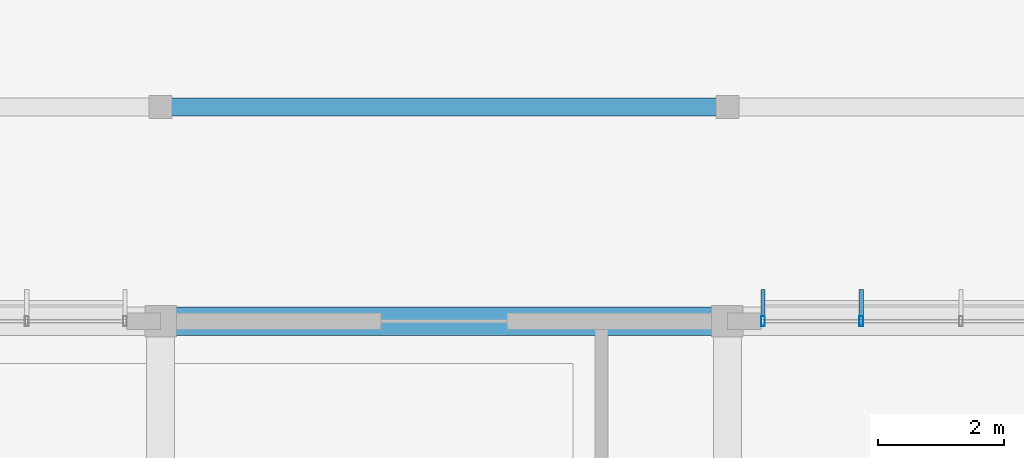
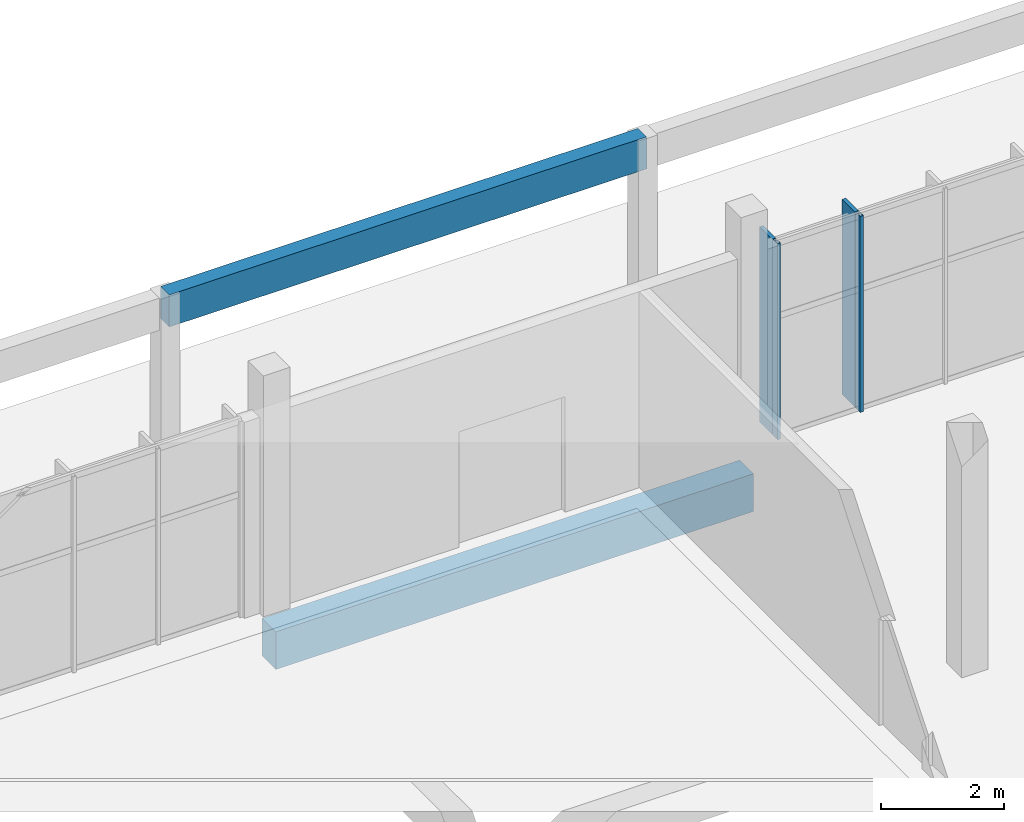
# One storey, part 42 of 151: 4 members, 2 beams, 1 element without a shape of its own.
"""IFC4 building model written with IfcOpenShell, lengths in metres."""

from ifc_helpers import new_model, si_unit, direction, frame, origin, origin_2d, place, context, subcontext, project, spatial, rectangle, hollow_rectangle, extrude, material, material_profile, profile_set, type_object, element, aggregate, save


model = new_model("IFC4")

# Units and contexts
model_context = context("Model", 3, precision=1e-05, world=origin(), true_north=direction((0.0, 1.0)))
body_context = subcontext(model_context, "Body", "Model", "MODEL_VIEW")
ifc_project = project(units=[si_unit("LENGTHUNIT", "METRE"), si_unit("AREAUNIT", "SQUARE_METRE"), si_unit("VOLUMEUNIT", "CUBIC_METRE"), si_unit("PLANEANGLEUNIT", "RADIAN"), si_unit("MASSUNIT", "GRAM", prefix="KILO")], contexts=[model_context])

# Site, building, storey
site_placement = place(None, origin())
site = spatial("IfcSite", under=ifc_project, at=site_placement, CompositionType="ELEMENT")
building_placement = place(site_placement, origin())
building = spatial("IfcBuilding", under=site, at=building_placement, Name="Chiffa Square Polytechnic", CompositionType="ELEMENT")
storey_placement = place(building_placement, origin())
storey = spatial("IfcBuildingStorey", under=building, at=storey_placement, Name="L00", CompositionType="ELEMENT", Elevation=0.0)

# Curtain wall, members
ifc_material_1 = material(Name="Aluminium EN AW-6060 T66 and glulam shading", Category="wood")
curtain_wall_type = type_object("IfcCurtainWallType", Name="CW-VERT-600X380", PredefinedType="USERDEFINED", material=ifc_material_1)
curtain_wall_placement = place(storey_placement, origin())
curtain_wall = element("IfcCurtainWall", 1, at=curtain_wall_placement, inside=storey, type_object=curtain_wall_type, Name="Curtain wall CW-V4-L00-180", ObjectType="CURTAIN WALL", PredefinedType="USERDEFINED")
ifc_material_2 = material(Name="Aluminium EN AW-6060 T66", Category="aluminium")
ifc_material_profile_1 = material_profile(ifc_material_2, hollow_rectangle(XDim=0.06005859375, YDim=0.159912109375, WallThickness=0.00390625, at=origin_2d()), Name="ALU 60x160x4")
ifc_profile_set_1 = profile_set([ifc_material_profile_1], Name="Aluminium EN AW-6060 T66")
member_type_1 = type_object("IfcMemberType", Name="CWM-ALU-65X150", PredefinedType="MULLION", material=ifc_profile_set_1)
member_1_placement = place(storey_placement, frame((95.72412109375, 51.0, 0.0), z_axis=(0.0, 0.0, 1.0), x_axis=(1.0, 0.0, 0.0)))
member_1 = element("IfcMember", 2, at=member_1_placement, type_object=member_type_1, Name="Curtain wall mullion CW-V4-L00-180-M04", PredefinedType="MULLION", context=body_context, shape_type="SweptSolid", body=[
    extrude(hollow_rectangle(XDim=0.06005859375, YDim=0.159912109375, WallThickness=0.00390625, at=origin_2d()), origin(), (0.0, 0.0, 1.0), 3.905029296875),
])
member_2_placement = place(storey_placement, frame((94.1650390625, 51.0, 0.0), z_axis=(0.0, 0.0, 1.0), x_axis=(1.0, 0.0, 0.0)))
member_2 = element("IfcMember", 3, at=member_2_placement, type_object=member_type_1, Name="Curtain wall mullion CW-V4-L00-180-M05", PredefinedType="MULLION", context=body_context, shape_type="SweptSolid", body=[
    extrude(hollow_rectangle(XDim=0.06005859375, YDim=0.159912109375, WallThickness=0.00390625, at=origin_2d()), origin(), (0.0, 0.0, 1.0), 3.905029296875),
])
ifc_material_3 = material(Name="Glulam GL28h", Category="wood")
ifc_material_profile_2 = material_profile(ifc_material_3, rectangle(XDim=0.070068359375, YDim=0.419921875, at=origin_2d()), Name="GL28h 70x420")
ifc_profile_set_2 = profile_set([ifc_material_profile_2], Name="Glulam GL28h")
member_type_2 = type_object("IfcMemberType", Name="CWM-GL-70X420", PredefinedType="MULLION", material=ifc_profile_set_2)
member_3_placement = place(storey_placement, frame((95.72412109375, 51.2919921875, 0.010009765625), z_axis=(0.0, 0.0, 1.0), x_axis=(-1.0, 0.0, 0.0)))
member_3 = element("IfcMember", 4, at=member_3_placement, type_object=member_type_2, Name="Exterior glulam solar fin CW-V4-L00-180-FN04", PredefinedType="MULLION", context=body_context, shape_type="SweptSolid", body=[
    extrude(rectangle(XDim=0.070068359375, YDim=0.419921875, at=origin_2d()), origin(), (0.0, 0.0, 1.0), 3.885009765625),
])
member_4_placement = place(storey_placement, frame((94.1650390625, 51.2919921875, 0.010009765625), z_axis=(0.0, 0.0, 1.0), x_axis=(-1.0, 0.0, 0.0)))
member_4 = element("IfcMember", 5, at=member_4_placement, type_object=member_type_2, Name="Exterior glulam solar fin CW-V4-L00-180-FN05", PredefinedType="MULLION", context=body_context, shape_type="SweptSolid", body=[
    extrude(rectangle(XDim=0.070068359375, YDim=0.419921875, at=origin_2d()), origin(), (0.0, 0.0, 1.0), 3.885009765625),
])
aggregate(curtain_wall, [member_1, member_3, member_2, member_4])

# Beams
ifc_material_4 = material(Name="Concrete C35/45", Category="concrete")
ifc_material_profile_3 = material_profile(ifc_material_4, rectangle(XDim=0.449951171875, YDim=0.75, at=origin_2d()), Name="RC 450x750")
ifc_profile_set_3 = profile_set([ifc_material_profile_3], Name="Concrete C35/45")
beam_type_1 = type_object("IfcBeamType", Name="GB-RC-450X750", PredefinedType="BEAM", material=ifc_profile_set_3)
beam_1_placement = place(storey_placement, frame((84.60009765625, 51.0, -0.77490234375), z_axis=(1.0, 0.0, 0.0), x_axis=(0.0, 1.0, 0.0)))
element("IfcBeam", 6, at=beam_1_placement, inside=storey, type_object=beam_type_1, Name="Ground tie beam GB-V4-X-118", PredefinedType="BEAM", context=body_context, shape_type="SweptSolid", body=[
    extrude(rectangle(XDim=0.449951171875, YDim=0.75, at=origin_2d()), origin(), (0.0, 0.0, 1.0), 9.0),
])
ifc_material_profile_4 = material_profile(ifc_material_3, rectangle(XDim=0.280029296875, YDim=0.639892578125, at=origin_2d()), Name="GL28h 280x640")
ifc_profile_set_4 = profile_set([ifc_material_profile_4], Name="Glulam GL28h")
beam_type_2 = type_object("IfcBeamType", Name="RB-GL-280X640", PredefinedType="SPANDREL", material=ifc_profile_set_4)
beam_2_placement = place(storey_placement, frame((84.60009765625, 54.39990234375, 3.8798828125), z_axis=(1.0, 0.0, 0.0), x_axis=(0.0, 1.0, 0.0)))
element("IfcBeam", 7, at=beam_2_placement, inside=storey, type_object=beam_type_2, Name="Courtyard pergola beam RB-CY-L00-04", PredefinedType="SPANDREL", context=body_context, shape_type="SweptSolid", body=[
    extrude(rectangle(XDim=0.280029296875, YDim=0.639892578125, at=origin_2d()), origin(), (0.0, 0.0, 1.0), 9.0),
])

save(model, "model.ifc")
